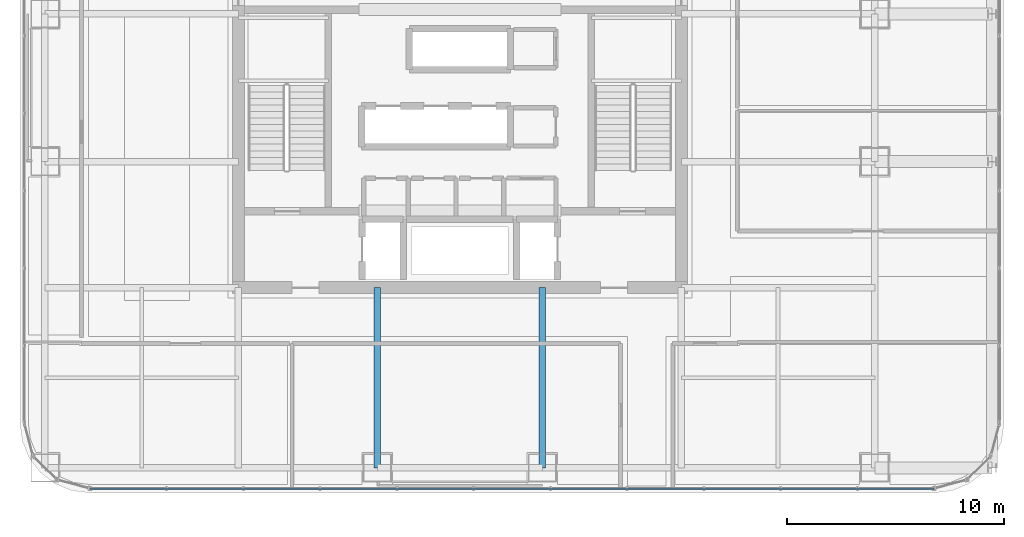
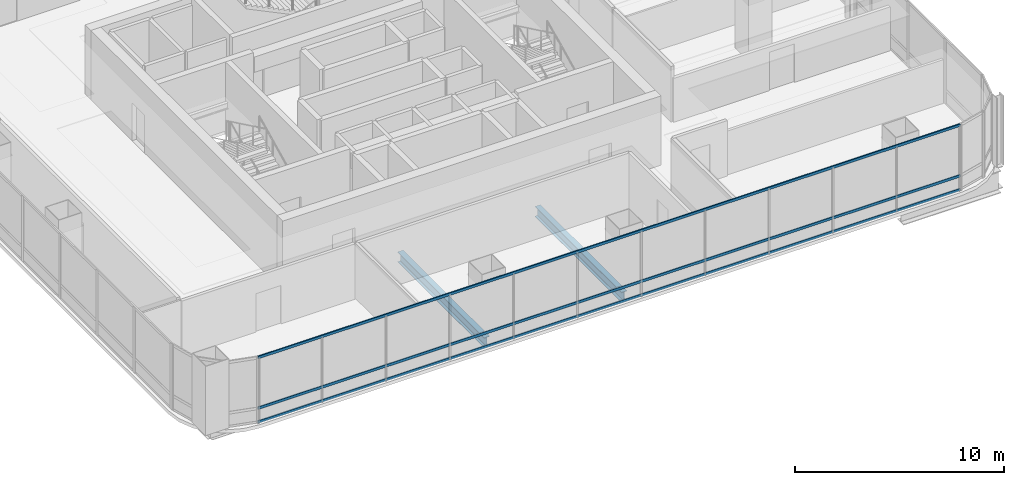
# One storey, part 7 of 42: 3 members, 2 beams, 1 element without a shape of its own.
"""IFC4 building model written with IfcOpenShell, lengths in metres."""

from ifc_helpers import new_model, si_unit, direction, frame, origin, origin_2d, place, context, subcontext, project, spatial, hollow_rectangle, i_section, extrude, material, material_profile, profile_set, type_object, element, aggregate, save


model = new_model("IFC4")

# Units and contexts
model_context = context("Model", 3, precision=1e-05, world=origin(), true_north=direction((0.0, 1.0)))
body_context = subcontext(model_context, "Body", "Model", "MODEL_VIEW")
ifc_project = project(units=[si_unit("LENGTHUNIT", "METRE"), si_unit("AREAUNIT", "SQUARE_METRE"), si_unit("VOLUMEUNIT", "CUBIC_METRE"), si_unit("PLANEANGLEUNIT", "RADIAN"), si_unit("MASSUNIT", "GRAM", prefix="KILO")], contexts=[model_context])

# Site, building, storey
site_placement = place(None, origin())
site = spatial("IfcSite", under=ifc_project, at=site_placement, CompositionType="ELEMENT")
building_placement = place(site_placement, origin())
building = spatial("IfcBuilding", under=site, at=building_placement, Name="Punatoya Terracotta Tower", CompositionType="ELEMENT")
storey_placement = place(building_placement, frame((0.0, 0.0, 263.550048828125)))
storey = spatial("IfcBuildingStorey", under=building, at=storey_placement, Name="L62", CompositionType="ELEMENT", Elevation=263.550048828125)

# Beams
ifc_material_1 = material(Name="Steel S355", Category="steel")
ifc_material_profile_1 = material_profile(ifc_material_1, i_section(OverallWidth=0.300048828125, OverallDepth=0.60009765625, WebThickness=0.015380859375, FlangeThickness=0.030029296875, FilletRadius=0.01806640625, at=origin_2d()))
ifc_profile_set_1 = profile_set([ifc_material_profile_1], Name="Steel S355")
beam_type = type_object("IfcBeamType", Name="BM-PRI-600", PredefinedType="BEAM", material=ifc_profile_set_1)
for number, where, z_axis, x_axis, name in (
    (1, (-3.800048828125, -17.5, -0.5), (0.0, 1.0, 0.0), (-1.0, 0.0, 0.0), "BM-L62-PR-S2"),
    (2, (3.800048828125, -17.5, -0.5), (0.0, 1.0, 0.0), (-1.0, 0.0, 0.0), "BM-L62-PR-S3"),
):
    element("IfcBeam", number, at=place(storey_placement, frame(where, z_axis=z_axis, x_axis=x_axis)), inside=storey, type_object=beam_type, Name=name, PredefinedType="BEAM", context=body_context, shape_type="SweptSolid", body=[
        extrude(i_section(OverallWidth=0.300048828125, OverallDepth=0.60009765625, WebThickness=0.015380859375, FlangeThickness=0.030029296875, FilletRadius=0.01806640625, at=origin_2d()), origin(), (0.0, 0.0, 1.0), 8.300048828125),
    ])

# Curtain wall, members
ifc_material_2 = material(Name="Aluminium 6063-T6 + Double Low-E Glass", Category="aluminium")
curtain_wall_type = type_object("IfcCurtainWallType", Name="CW-M3", PredefinedType="NOTDEFINED", material=ifc_material_2)
curtain_wall_placement = place(storey_placement, origin())
curtain_wall = element("IfcCurtainWall", 3, at=curtain_wall_placement, inside=storey, type_object=curtain_wall_type, Name="L62 Curtain Wall CW-L62-S01-1", PredefinedType="NOTDEFINED")
ifc_material_3 = material(Name="Aluminium 6063-T6", Category="aluminium")
ifc_material_profile_2 = material_profile(ifc_material_3, hollow_rectangle(XDim=0.068115234375, YDim=0.14990234375, WallThickness=0.00390625, at=origin_2d()))
ifc_profile_set_2 = profile_set([ifc_material_profile_2], Name="Aluminium 6063-T6")
member_type = type_object("IfcMemberType", Name="CW-TRN-TYP", PredefinedType="USERDEFINED", material=ifc_profile_set_2)
member_1_placement = place(storey_placement, frame((-17.036865234375, -18.449951171875, 0.0400390625), z_axis=(1.0, 0.0, 0.0), x_axis=(0.0, 1.0, 0.0)))
member_1 = element("IfcMember", 4, at=member_1_placement, type_object=member_type, Name="CW-L62-S01-1 Transom 1", ObjectType="TRANSOM", PredefinedType="USERDEFINED", context=body_context, shape_type="SweptSolid", body=[
    extrude(hollow_rectangle(XDim=0.068115234375, YDim=0.14990234375, WallThickness=0.00390625, at=origin_2d()), origin(), (0.0, 0.0, 1.0), 38.873779296875),
])
member_2_placement = place(storey_placement, frame((-17.036865234375, -18.449951171875, 0.849853515625), z_axis=(1.0, 0.0, 0.0), x_axis=(0.0, 1.0, 0.0)))
member_2 = element("IfcMember", 5, at=member_2_placement, type_object=member_type, Name="CW-L62-S01-1 Transom 2", ObjectType="TRANSOM", PredefinedType="USERDEFINED", context=body_context, shape_type="SweptSolid", body=[
    extrude(hollow_rectangle(XDim=0.068115234375, YDim=0.14990234375, WallThickness=0.00390625, at=origin_2d()), origin(), (0.0, 0.0, 1.0), 38.873779296875),
])
member_3_placement = place(storey_placement, frame((-17.036865234375, -18.449951171875, 3.81005859375), z_axis=(1.0, 0.0, 0.0), x_axis=(0.0, 1.0, 0.0)))
member_3 = element("IfcMember", 6, at=member_3_placement, type_object=member_type, Name="CW-L62-S01-1 Transom 3", ObjectType="TRANSOM", PredefinedType="USERDEFINED", context=body_context, shape_type="SweptSolid", body=[
    extrude(hollow_rectangle(XDim=0.068115234375, YDim=0.14990234375, WallThickness=0.00390625, at=origin_2d()), origin(), (0.0, 0.0, 1.0), 38.873779296875),
])
aggregate(curtain_wall, [member_1, member_2, member_3])

save(model, "model.ifc")
